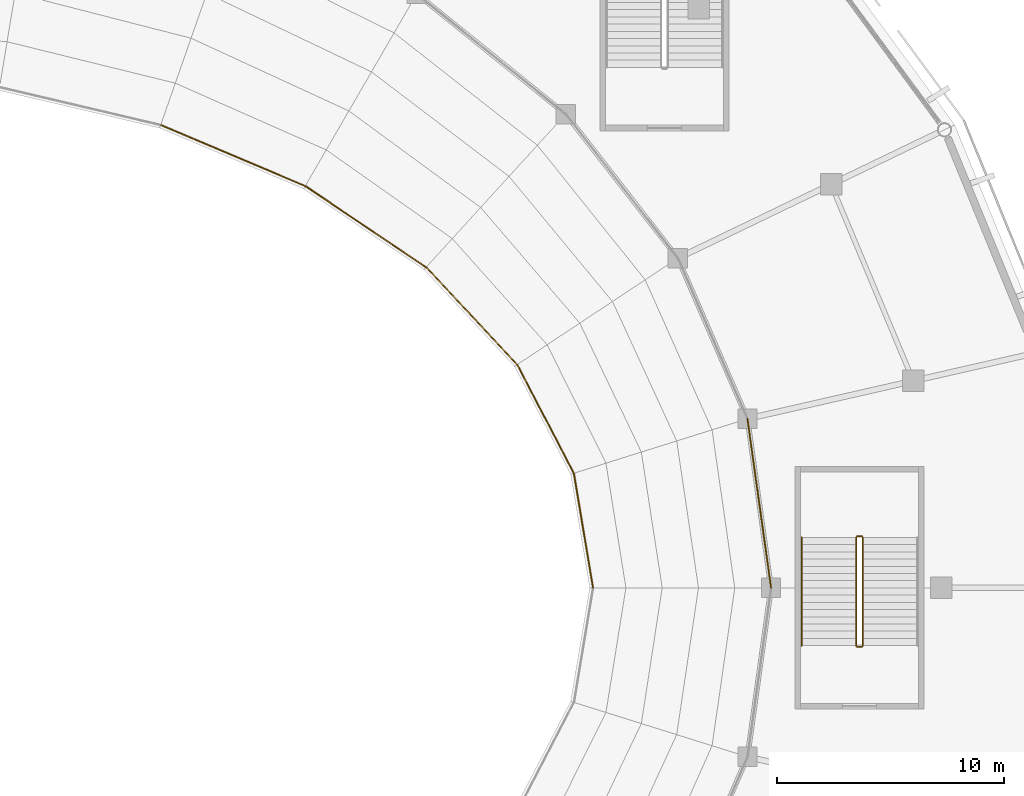
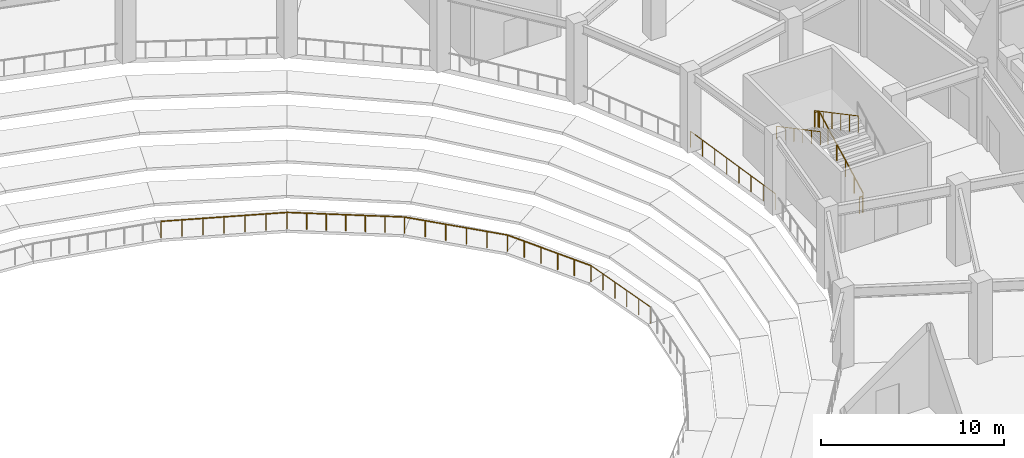
# One storey, part 107 of 120: 11 railings.
"""IFC4 building model written with IfcOpenShell, lengths in metres."""

from ifc_helpers import new_model, si_unit, direction, frame, origin, origin_2d, place, context, subcontext, project, spatial, circle, extrude, material, type_object, element, save


model = new_model("IFC4")

# Units and contexts
model_context = context("Model", 3, precision=1e-05, world=origin(), true_north=direction((0.0, 1.0)))
body_context = subcontext(model_context, "Body", "Model", "MODEL_VIEW")
ifc_project = project(units=[si_unit("LENGTHUNIT", "METRE"), si_unit("AREAUNIT", "SQUARE_METRE"), si_unit("VOLUMEUNIT", "CUBIC_METRE"), si_unit("PLANEANGLEUNIT", "RADIAN"), si_unit("MASSUNIT", "GRAM", prefix="KILO")], contexts=[model_context])

# Site, building, storey
site_placement = place(None, origin())
site = spatial("IfcSite", under=ifc_project, at=site_placement, CompositionType="ELEMENT")
building_placement = place(site_placement, origin())
building = spatial("IfcBuilding", under=site, at=building_placement, Name="Cuetzalor Civic Arena", CompositionType="ELEMENT")
storey_placement = place(building_placement, frame((0.0, 0.0, 6.0)))
storey = spatial("IfcBuildingStorey", under=building, at=storey_placement, Name="L01", CompositionType="ELEMENT", Elevation=6.0)

# Railings
ifc_material_1 = material(Name="Reseda-green Steel S355 and laminated glass guard", Category="steel")
railing_type_1 = type_object("IfcRailingType", Name="BowlSightlineGuard_1100", PredefinedType="BALUSTRADE", material=ifc_material_1)
railing_1_placement = place(storey_placement, frame((33.64990234375, 0.0, -4.800048828125)))
element("IfcRailing", 1, at=railing_1_placement, inside=storey, type_object=railing_type_1, Name="Lower Bowl Front Sightline Guard S01", PredefinedType="BALUSTRADE", context=body_context, shape_type="SweptSolid", body=[
    extrude(circle(Radius=0.02392578125, at=origin_2d()), frame((0.0, 0.0, 1.076171875), z_axis=(-0.165065227875, 0.986282652462, 0.0), x_axis=(-0.986282652462, -0.165065227875, 0.0)), (0.0, 0.0, 1.0), 5.110107421875),
    extrude(circle(Radius=0.02099609375, at=origin_2d()), origin(), (0.0, 0.0, 1.0), 1.052001953125),
    extrude(circle(Radius=0.02099609375, at=origin_2d()), frame((-0.168701171875, 1.008056640625, 0.0)), (0.0, 0.0, 1.0), 1.052001953125),
    extrude(circle(Radius=0.02099609375, at=origin_2d()), frame((-0.33740234375, 2.01611328125, 0.0)), (0.0, 0.0, 1.0), 1.052001953125),
    extrude(circle(Radius=0.02099609375, at=origin_2d()), frame((-0.506103515625, 3.02392578125, 0.0)), (0.0, 0.0, 1.0), 1.052001953125),
    extrude(circle(Radius=0.02099609375, at=origin_2d()), frame((-0.6748046875, 4.031982421875, 0.0)), (0.0, 0.0, 1.0), 1.052001953125),
    extrude(circle(Radius=0.02099609375, at=origin_2d()), frame((-0.843505859375, 5.0400390625, 0.0)), (0.0, 0.0, 1.0), 1.052001953125),
])
railing_2_placement = place(storey_placement, frame((32.806396484375, 5.0400390625, -4.800048828125)))
element("IfcRailing", 2, at=railing_2_placement, inside=storey, type_object=railing_type_1, Name="Lower Bowl Front Sightline Guard S02", PredefinedType="BALUSTRADE", context=body_context, shape_type="SweptSolid", body=[
    extrude(circle(Radius=0.02392578125, at=origin_2d()), frame((0.0, 0.0, 1.076171875), z_axis=(-0.46125728024, 0.88726643204, 0.0), x_axis=(-0.88726643204, -0.46125728024, 0.0)), (0.0, 0.0, 1.0), 5.3955078125),
    extrude(circle(Radius=0.02099609375, at=origin_2d()), origin(), (0.0, 0.0, 1.0), 1.052001953125),
    extrude(circle(Radius=0.02099609375, at=origin_2d()), frame((-0.497802734375, 0.95751953125, 0.0)), (0.0, 0.0, 1.0), 1.052001953125),
    extrude(circle(Radius=0.02099609375, at=origin_2d()), frame((-0.99560546875, 1.9150390625, 0.0)), (0.0, 0.0, 1.0), 1.052001953125),
    extrude(circle(Radius=0.02099609375, at=origin_2d()), frame((-1.4931640625, 2.872314453125, 0.0)), (0.0, 0.0, 1.0), 1.052001953125),
    extrude(circle(Radius=0.02099609375, at=origin_2d()), frame((-1.990966796875, 3.829833984375, 0.0)), (0.0, 0.0, 1.0), 1.052001953125),
    extrude(circle(Radius=0.02099609375, at=origin_2d()), frame((-2.48876953125, 4.787353515625, 0.0)), (0.0, 0.0, 1.0), 1.052001953125),
])
railing_3_placement = place(storey_placement, frame((30.317626953125, 9.827392578125, -4.800048828125)))
element("IfcRailing", 3, at=railing_3_placement, inside=storey, type_object=railing_type_1, Name="Lower Bowl Front Sightline Guard S03", PredefinedType="BALUSTRADE", context=body_context, shape_type="SweptSolid", body=[
    extrude(circle(Radius=0.02392578125, at=origin_2d()), frame((0.0, 0.0, 1.076171875), z_axis=(-0.68237895225, 0.73099860843, 0.0), x_axis=(-0.73099860843, -0.68237895225, 0.0)), (0.0, 0.0, 1.0), 5.875),
    extrude(circle(Radius=0.02099609375, at=origin_2d()), origin(), (0.0, 0.0, 1.0), 1.052001953125),
    extrude(circle(Radius=0.02099609375, at=origin_2d()), frame((-0.8017578125, 0.85888671875, 0.0)), (0.0, 0.0, 1.0), 1.052001953125),
    extrude(circle(Radius=0.02099609375, at=origin_2d()), frame((-1.603515625, 1.7177734375, 0.0)), (0.0, 0.0, 1.0), 1.052001953125),
    extrude(circle(Radius=0.02099609375, at=origin_2d()), frame((-2.405517578125, 2.576904296875, 0.0)), (0.0, 0.0, 1.0), 1.052001953125),
    extrude(circle(Radius=0.02099609375, at=origin_2d()), frame((-3.207275390625, 3.435791015625, 0.0)), (0.0, 0.0, 1.0), 1.052001953125),
    extrude(circle(Radius=0.02099609375, at=origin_2d()), frame((-4.009033203125, 4.294677734375, 0.0)), (0.0, 0.0, 1.0), 1.052001953125),
])
railing_4_placement = place(storey_placement, frame((26.30859375, 14.1220703125, -4.800048828125)))
element("IfcRailing", 4, at=railing_4_placement, inside=storey, type_object=railing_type_1, Name="Lower Bowl Front Sightline Guard S04", PredefinedType="BALUSTRADE", context=body_context, shape_type="SweptSolid", body=[
    extrude(circle(Radius=0.02392578125, at=origin_2d()), frame((0.0, 0.0, 1.076171875), z_axis=(-0.829574202753, 0.558396491864, 0.0), x_axis=(-0.558396491864, -0.829574202753, 0.0)), (0.0, 0.0, 1.0), 6.422607421875),
    extrude(circle(Radius=0.02099609375, at=origin_2d()), origin(), (0.0, 0.0, 1.0), 1.052001953125),
    extrude(circle(Radius=0.02099609375, at=origin_2d()), frame((-0.887939453125, 0.59765625, 0.0)), (0.0, 0.0, 1.0), 1.052001953125),
    extrude(circle(Radius=0.02099609375, at=origin_2d()), frame((-1.776123046875, 1.195556640625, 0.0)), (0.0, 0.0, 1.0), 1.052001953125),
    extrude(circle(Radius=0.02099609375, at=origin_2d()), frame((-2.6640625, 1.793212890625, 0.0)), (0.0, 0.0, 1.0), 1.052001953125),
    extrude(circle(Radius=0.02099609375, at=origin_2d()), frame((-3.552001953125, 2.390869140625, 0.0)), (0.0, 0.0, 1.0), 1.052001953125),
    extrude(circle(Radius=0.02099609375, at=origin_2d()), frame((-4.440185546875, 2.98876953125, 0.0)), (0.0, 0.0, 1.0), 1.052001953125),
    extrude(circle(Radius=0.02099609375, at=origin_2d()), frame((-5.328125, 3.58642578125, 0.0)), (0.0, 0.0, 1.0), 1.052001953125),
])
railing_5_placement = place(storey_placement, frame((20.98046875, 17.70849609375, -4.800048828125)))
element("IfcRailing", 5, at=railing_5_placement, inside=storey, type_object=railing_type_1, Name="Lower Bowl Front Sightline Guard S05", PredefinedType="BALUSTRADE", context=body_context, shape_type="SweptSolid", body=[
    extrude(circle(Radius=0.02392578125, at=origin_2d()), frame((0.0, 0.0, 1.076171875), z_axis=(-0.921013938975, 0.389529619174, 0.0), x_axis=(-0.389529619174, -0.921013938975, 0.0)), (0.0, 0.0, 1.0), 6.927490234375),
    extrude(circle(Radius=0.02099609375, at=origin_2d()), origin(), (0.0, 0.0, 1.0), 1.052001953125),
    extrude(circle(Radius=0.02099609375, at=origin_2d()), frame((-1.0634765625, 0.44970703125, 0.0)), (0.0, 0.0, 1.0), 1.052001953125),
    extrude(circle(Radius=0.02099609375, at=origin_2d()), frame((-2.126708984375, 0.8994140625, 0.0)), (0.0, 0.0, 1.0), 1.052001953125),
    extrude(circle(Radius=0.02099609375, at=origin_2d()), frame((-3.190185546875, 1.34912109375, 0.0)), (0.0, 0.0, 1.0), 1.052001953125),
    extrude(circle(Radius=0.02099609375, at=origin_2d()), frame((-4.253662109375, 1.799072265625, 0.0)), (0.0, 0.0, 1.0), 1.052001953125),
    extrude(circle(Radius=0.02099609375, at=origin_2d()), frame((-5.31689453125, 2.248779296875, 0.0)), (0.0, 0.0, 1.0), 1.052001953125),
    extrude(circle(Radius=0.02099609375, at=origin_2d()), frame((-6.38037109375, 2.698486328125, 0.0)), (0.0, 0.0, 1.0), 1.052001953125),
])
railing_6_placement = place(storey_placement, frame((41.5, 0.0, 0.0)))
element("IfcRailing", 6, at=railing_6_placement, inside=storey, type_object=railing_type_1, Name="Lower Bowl Concourse Rim Balustrade S01", PredefinedType="BALUSTRADE", context=body_context, shape_type="SweptSolid", body=[
    extrude(circle(Radius=0.02392578125, at=origin_2d()), frame((0.0, 0.0, 1.076171875), z_axis=(-0.138241906656, 0.990398493155, 0.0), x_axis=(-0.990398493155, -0.138241906656, 0.0)), (0.0, 0.0, 1.0), 7.52685546875),
    extrude(circle(Radius=0.02099609375, at=origin_2d()), origin(), (0.0, 0.0, 1.0), 1.052001953125),
    extrude(circle(Radius=0.02099609375, at=origin_2d()), frame((-0.148681640625, 1.06494140625, 0.0)), (0.0, 0.0, 1.0), 1.052001953125),
    extrude(circle(Radius=0.02099609375, at=origin_2d()), frame((-0.29736328125, 2.1298828125, 0.0)), (0.0, 0.0, 1.0), 1.052001953125),
    extrude(circle(Radius=0.02099609375, at=origin_2d()), frame((-0.446044921875, 3.19482421875, 0.0)), (0.0, 0.0, 1.0), 1.052001953125),
    extrude(circle(Radius=0.02099609375, at=origin_2d()), frame((-0.594482421875, 4.259765625, 0.0)), (0.0, 0.0, 1.0), 1.052001953125),
    extrude(circle(Radius=0.02099609375, at=origin_2d()), frame((-0.7431640625, 5.32470703125, 0.0)), (0.0, 0.0, 1.0), 1.052001953125),
    extrude(circle(Radius=0.02099609375, at=origin_2d()), frame((-0.891845703125, 6.3896484375, 0.0)), (0.0, 0.0, 1.0), 1.052001953125),
    extrude(circle(Radius=0.02099609375, at=origin_2d()), frame((-1.04052734375, 7.45458984375, 0.0)), (0.0, 0.0, 1.0), 1.052001953125),
])
ifc_material_2 = material(Name="Reseda-green architectural Steel S355 balustrade", Category="steel")
railing_type_2 = type_object("IfcRailingType", Name="InteriorVoidBalustrade_1100", PredefinedType="BALUSTRADE", material=ifc_material_2)
railing_7_placement = place(storey_placement, frame((45.550048828125, -2.550048828125, 0.168701171875)))
element("IfcRailing", 7, at=railing_7_placement, inside=storey, type_object=railing_type_2, Name="L01 ST-01 stair guard 1", PredefinedType="BALUSTRADE", context=body_context, shape_type="SweptSolid", body=[
    extrude(circle(Radius=0.02392578125, at=origin_2d()), frame((0.0, 0.0, 1.0810546875), z_axis=(0.0, 0.883332211103, 0.468747485143), x_axis=(-1.0, 0.0, 0.0)), (0.0, 0.0, 1.0), 5.400146484375),
    extrude(circle(Radius=0.02099609375, at=origin_2d()), origin(), (0.0, 0.0, 1.0), 1.056884765625),
    extrude(circle(Radius=0.02099609375, at=origin_2d()), frame((0.0, 0.9541015625, 0.50634765625)), (0.0, 0.0, 1.0), 1.056884765625),
    extrude(circle(Radius=0.02099609375, at=origin_2d()), frame((0.0, 1.907958984375, 1.012451171875)), (0.0, 0.0, 1.0), 1.056884765625),
    extrude(circle(Radius=0.02099609375, at=origin_2d()), frame((0.0, 2.862060546875, 1.518798828125)), (0.0, 0.0, 1.0), 1.056884765625),
    extrude(circle(Radius=0.02099609375, at=origin_2d()), frame((0.0, 3.81591796875, 2.02490234375)), (0.0, 0.0, 1.0), 1.056884765625),
    extrude(circle(Radius=0.02099609375, at=origin_2d()), frame((0.0, 4.77001953125, 2.53125)), (0.0, 0.0, 1.0), 1.056884765625),
])
railing_8_placement = place(storey_placement, frame((45.5, 2.27001953125, 2.699951171875)))
element("IfcRailing", 8, at=railing_8_placement, inside=storey, type_object=railing_type_2, Name="L01 ST-01 stair guard 2", PredefinedType="BALUSTRADE", context=body_context, shape_type="SweptSolid", body=[
    extrude(circle(Radius=0.02392578125, at=origin_2d()), frame((0.0, 0.0, 1.0810546875), z_axis=(-1.0, 0.0, 0.0), x_axis=(0.0, -1.0, 0.0)), (0.0, 0.0, 1.0), 0.199951171875),
    extrude(circle(Radius=0.02099609375, at=origin_2d()), origin(), (0.0, 0.0, 1.0), 1.056884765625),
    extrude(circle(Radius=0.02099609375, at=origin_2d()), frame((-0.199951171875, 0.0, 0.0)), (0.0, 0.0, 1.0), 1.056884765625),
])
railing_9_placement = place(storey_placement, frame((45.25, 2.219970703125, 2.86865234375)))
element("IfcRailing", 9, at=railing_9_placement, inside=storey, type_object=railing_type_2, Name="L01 ST-01 stair guard 3", PredefinedType="BALUSTRADE", context=body_context, shape_type="SweptSolid", body=[
    extrude(circle(Radius=0.02392578125, at=origin_2d()), frame((0.0, 0.0, 1.0810546875), z_axis=(0.0, -0.883332211103, 0.468747485143), x_axis=(1.0, 0.0, 0.0)), (0.0, 0.0, 1.0), 5.400146484375),
    extrude(circle(Radius=0.02099609375, at=origin_2d()), origin(), (0.0, 0.0, 1.0), 1.056884765625),
    extrude(circle(Radius=0.02099609375, at=origin_2d()), frame((0.0, -0.9541015625, 0.50634765625)), (0.0, 0.0, 1.0), 1.056884765625),
    extrude(circle(Radius=0.02099609375, at=origin_2d()), frame((0.0, -1.907958984375, 1.012451171875)), (0.0, 0.0, 1.0), 1.056884765625),
    extrude(circle(Radius=0.02099609375, at=origin_2d()), frame((0.0, -2.862060546875, 1.518798828125)), (0.0, 0.0, 1.0), 1.056884765625),
    extrude(circle(Radius=0.02099609375, at=origin_2d()), frame((0.0, -3.81591796875, 2.02490234375)), (0.0, 0.0, 1.0), 1.056884765625),
    extrude(circle(Radius=0.02099609375, at=origin_2d()), frame((0.0, -4.77001953125, 2.53125)), (0.0, 0.0, 1.0), 1.056884765625),
])
railing_10_placement = place(storey_placement, frame((45.5, -2.60009765625, 0.0)))
element("IfcRailing", 10, at=railing_10_placement, inside=storey, type_object=railing_type_2, Name="L01 ST-01 stair guard 4", PredefinedType="BALUSTRADE", context=body_context, shape_type="SweptSolid", body=[
    extrude(circle(Radius=0.02392578125, at=origin_2d()), frame((0.0, 0.0, 1.0810546875), z_axis=(-1.0, 0.0, 0.0), x_axis=(0.0, -1.0, 0.0)), (0.0, 0.0, 1.0), 0.199951171875),
    extrude(circle(Radius=0.02099609375, at=origin_2d()), origin(), (0.0, 0.0, 1.0), 1.056884765625),
    extrude(circle(Radius=0.02099609375, at=origin_2d()), frame((-0.199951171875, 0.0, 0.0)), (0.0, 0.0, 1.0), 1.056884765625),
])
ifc_material_3 = material(Name="Galvanised steel S355", Category="steel")
railing_type_3 = type_object("IfcRailingType", Name="StairPitchHandrail_900", PredefinedType="HANDRAIL", material=ifc_material_3)
railing_11_placement = place(storey_placement, frame((42.85009765625, 2.219970703125, 2.86865234375)))
element("IfcRailing", 11, at=railing_11_placement, inside=storey, type_object=railing_type_3, Name="L01 ST-01 stair handrail 2", PredefinedType="HANDRAIL", context=body_context, shape_type="SweptSolid", body=[
    extrude(circle(Radius=0.02392578125, at=origin_2d()), frame((0.0, 0.0, 0.8759765625), z_axis=(0.0, -0.883332211103, 0.468747485143), x_axis=(1.0, 0.0, 0.0)), (0.0, 0.0, 1.0), 5.400146484375),
    extrude(circle(Radius=0.02099609375, at=origin_2d()), origin(), (0.0, 0.0, 1.0), 0.851806640625),
    extrude(circle(Radius=0.02099609375, at=origin_2d()), frame((0.0, -0.9541015625, 0.50634765625)), (0.0, 0.0, 1.0), 0.851806640625),
    extrude(circle(Radius=0.02099609375, at=origin_2d()), frame((0.0, -1.907958984375, 1.012451171875)), (0.0, 0.0, 1.0), 0.851806640625),
    extrude(circle(Radius=0.02099609375, at=origin_2d()), frame((0.0, -2.862060546875, 1.518798828125)), (0.0, 0.0, 1.0), 0.851806640625),
    extrude(circle(Radius=0.02099609375, at=origin_2d()), frame((0.0, -3.81591796875, 2.02490234375)), (0.0, 0.0, 1.0), 0.851806640625),
    extrude(circle(Radius=0.02099609375, at=origin_2d()), frame((0.0, -4.77001953125, 2.53125)), (0.0, 0.0, 1.0), 0.851806640625),
])

save(model, "model.ifc")
